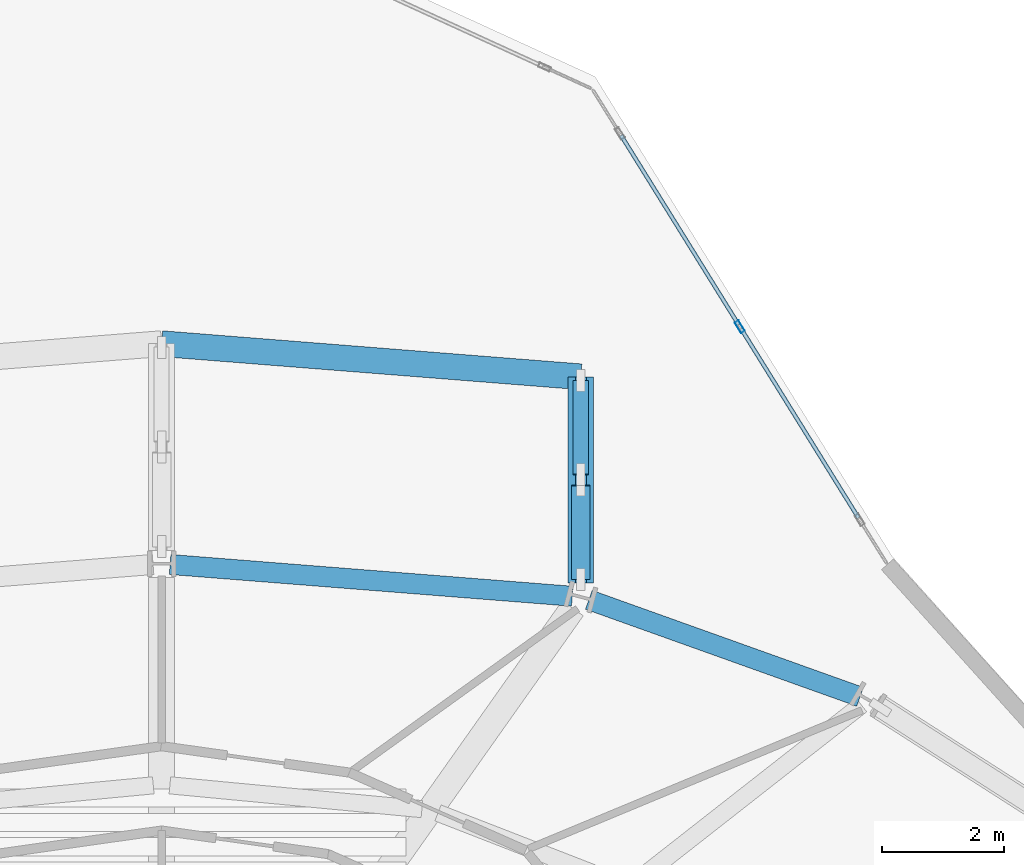
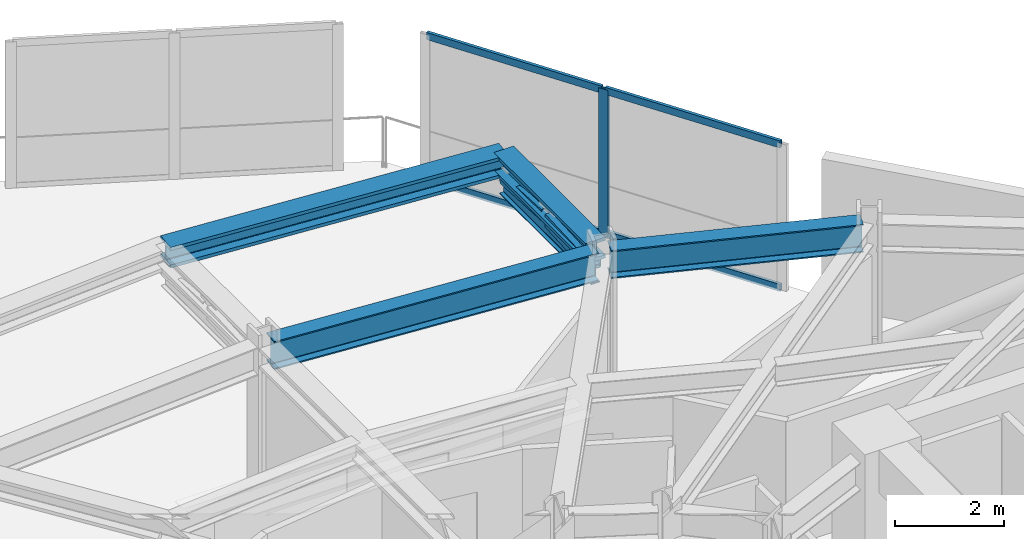
# One storey, part 14 of 24: 7 members, 5 beams, 1 element without a shape of its own.
"""IFC4 building model written with IfcOpenShell, lengths in metres."""

from ifc_helpers import new_model, si_unit, direction, frame, origin, origin_2d, place, context, subcontext, project, spatial, hollow_rectangle, i_section, extrude, material, layer, layer_set, material_profile, profile_set, type_object, element, aggregate, save


model = new_model("IFC4")

# Units and contexts
model_context = context("Model", 3, precision=1e-05, world=origin(), true_north=direction((0.0, 1.0)))
body_context = subcontext(model_context, "Body", "Model", "MODEL_VIEW")
ifc_project = project(units=[si_unit("LENGTHUNIT", "METRE"), si_unit("AREAUNIT", "SQUARE_METRE"), si_unit("VOLUMEUNIT", "CUBIC_METRE"), si_unit("PLANEANGLEUNIT", "RADIAN"), si_unit("MASSUNIT", "GRAM", prefix="KILO")], contexts=[model_context])

# Site, building, storey
site_placement = place(None, origin())
site = spatial("IfcSite", under=ifc_project, at=site_placement, CompositionType="ELEMENT")
building_placement = place(site_placement, origin())
building = spatial("IfcBuilding", under=site, at=building_placement, Name="Solvane Sanctuary Tower", CompositionType="ELEMENT")
storey_placement = place(building_placement, frame((0.0, 0.0, 253.199951171875)))
storey = spatial("IfcBuildingStorey", under=building, at=storey_placement, Name="L77", CompositionType="ELEMENT", Elevation=253.199951171875)

# Beams
ifc_material_1 = material(Name="Steel ASTM A913 Grade 65", Category="steel")
ifc_material_profile_1 = material_profile(ifc_material_1, i_section(OverallWidth=0.422119140625, OverallDepth=0.465087890625, WebThickness=0.044921875, FlangeThickness=0.072509765625, FilletRadius=0.02490234375, at=origin_2d()), Name="W14X398")
ifc_profile_set_1 = profile_set([ifc_material_profile_1], Name="Steel ASTM A913 Grade 65")
beam_type_1 = type_object("IfcBeamType", Name="Beam B-CANT-CH W14X398", PredefinedType="BEAM", material=ifc_profile_set_1)
beam_1_placement = place(storey_placement, frame((38.856201171875, 38.36669921875, 3.08544921875), z_axis=(0.0, 1.0, 0.0), x_axis=(-1.0, 0.0, 0.0)))
element("IfcBeam", 1, at=beam_1_placement, inside=storey, type_object=beam_type_1, Name="L77 Sky-Dining Truss Top Chord C03", PredefinedType="BEAM", context=body_context, shape_type="SweptSolid", body=[
    extrude(i_section(OverallWidth=0.422119140625, OverallDepth=0.465087890625, WebThickness=0.044921875, FlangeThickness=0.072509765625, FilletRadius=0.02490234375, at=origin_2d()), origin(), (0.0, 0.0, 1.0), 3.37158203125),
])
beam_2_placement = place(storey_placement, frame((32.0, 42.280029296875, 3.08544921875), z_axis=(0.996892795984, -0.078770256536, 0.0), x_axis=(0.078770256536, 0.996892795984, 0.0)))
element("IfcBeam", 2, at=beam_2_placement, inside=storey, type_object=beam_type_1, Name="L77 Sky-Dining Transverse Tie Beam 2", PredefinedType="BEAM", context=body_context, shape_type="SweptSolid", body=[
    extrude(i_section(OverallWidth=0.422119140625, OverallDepth=0.465087890625, WebThickness=0.044921875, FlangeThickness=0.072509765625, FilletRadius=0.02490234375, at=origin_2d()), origin(), (0.0, 0.0, 1.0), 6.877685546875),
])
ifc_material_2 = material(Name="Steel ASTM A992 Grade 50", Category="steel")
ifc_material_profile_2 = material_profile(ifc_material_2, i_section(OverallWidth=0.180908203125, OverallDepth=0.4169921875, WebThickness=0.010986328125, FlangeThickness=0.018310546875, FilletRadius=0.012939453125, at=origin_2d()), Name="W16X57")
ifc_profile_set_2 = profile_set([ifc_material_profile_2], Name="Steel ASTM A992 Grade 50")
beam_type_2 = type_object("IfcBeamType", Name="Beam B-ROOF-BM W16X57", PredefinedType="BEAM", material=ifc_profile_set_2)
beam_3_placement = place(storey_placement, frame((38.856201171875, 38.36669921875, 2.56005859375), z_axis=(0.0, 1.0, 0.0), x_axis=(-1.0, 0.0, 0.0)))
element("IfcBeam", 3, at=beam_3_placement, inside=storey, type_object=beam_type_2, Name="L77 Sky-Dining Truss Bottom Chord C03", PredefinedType="BEAM", context=body_context, shape_type="SweptSolid", body=[
    extrude(i_section(OverallWidth=0.180908203125, OverallDepth=0.4169921875, WebThickness=0.010986328125, FlangeThickness=0.018310546875, FilletRadius=0.012939453125, at=origin_2d()), origin(), (0.0, 0.0, 1.0), 3.37158203125),
])
ifc_material_profile_3 = material_profile(ifc_material_2, i_section(OverallWidth=0.327880859375, OverallDepth=0.6279296875, WebThickness=0.0166015625, FlangeThickness=0.027587890625, FilletRadius=0.01611328125, at=origin_2d()), Name="W24X146")
ifc_profile_set_3 = profile_set([ifc_material_profile_3], Name="Steel ASTM A992 Grade 50")
beam_type_3 = type_object("IfcBeamType", Name="Beam B-SPAND-Z3 W24X146", PredefinedType="SPANDREL", material=ifc_profile_set_3)
beam_4_placement = place(storey_placement, frame((32.1396484375, 38.6689453125, 3.004150390625), z_axis=(0.996894556567, -0.078747971951, 0.0), x_axis=(0.078747971951, 0.996894556567, 0.0)))
element("IfcBeam", 4, at=beam_4_placement, inside=storey, type_object=beam_type_3, Name="L77 Perimeter Spandrel Beam TC04-TC03", PredefinedType="SPANDREL", context=body_context, shape_type="SweptSolid", body=[
    extrude(i_section(OverallWidth=0.327880859375, OverallDepth=0.6279296875, WebThickness=0.0166015625, FlangeThickness=0.027587890625, FilletRadius=0.01611328125, at=origin_2d()), origin(), (0.0, 0.0, 1.0), 6.597412109375),
])
beam_5_placement = place(storey_placement, frame((38.98779296875, 38.091064453125, 3.004150390625), z_axis=(0.941570600413, -0.336815683184, 0.0), x_axis=(0.336815683184, 0.941570600413, 0.0)))
element("IfcBeam", 5, at=beam_5_placement, inside=storey, type_object=beam_type_3, Name="L77 Perimeter Spandrel Beam TC03-TC02", PredefinedType="SPANDREL", context=body_context, shape_type="SweptSolid", body=[
    extrude(i_section(OverallWidth=0.327880859375, OverallDepth=0.6279296875, WebThickness=0.0166015625, FlangeThickness=0.027587890625, FilletRadius=0.01611328125, at=origin_2d()), origin(), (0.0, 0.0, 1.0), 4.710693359375),
])

# Members
ifc_material_profile_4 = material_profile(ifc_material_1, hollow_rectangle(XDim=0.300048828125, YDim=0.300048828125, WallThickness=0.012451171875, at=origin_2d()), Name="HSS300X300X12.5")
ifc_profile_set_4 = profile_set([ifc_material_profile_4], Name="Steel ASTM A913 Grade 65")
member_type_1 = type_object("IfcMemberType", Name="Member M-CANT-DIAG HSS300X300X12.5", PredefinedType="STRUT", material=ifc_profile_set_4)
member_1_placement = place(storey_placement, frame((38.856201171875, 38.431640625, 2.768798828125), z_axis=(0.0, 0.998634932523, 0.052232858853), x_axis=(-1.0, 0.0, 0.0)))
element("IfcMember", 6, at=member_1_placement, inside=storey, type_object=member_type_1, Name="L77 Sky-Dining Truss Diagonal C03-P1", PredefinedType="STRUT", context=body_context, shape_type="SweptSolid", body=[
    extrude(hollow_rectangle(XDim=0.300048828125, YDim=0.300048828125, WallThickness=0.012451171875, at=origin_2d()), origin(), (0.0, 0.0, 1.0), 1.533203125),
])
ifc_material_profile_5 = material_profile(ifc_material_1, hollow_rectangle(XDim=0.25, YDim=0.25, WallThickness=0.012451171875, at=origin_2d()), Name="HSS250X250X12.5")
ifc_profile_set_5 = profile_set([ifc_material_profile_5], Name="Steel ASTM A913 Grade 65")
member_type_2 = type_object("IfcMemberType", Name="Member M-CANT-POST HSS250X250X12.5", PredefinedType="POST", material=ifc_profile_set_5)
member_2_placement = place(storey_placement, frame((38.856201171875, 40.142333984375, 2.848876953125), z_axis=(0.0, 0.998634932523, -0.052232858853), x_axis=(-1.0, 0.0, 0.0)))
element("IfcMember", 7, at=member_2_placement, inside=storey, type_object=member_type_2, Name="L77 Sky-Dining Truss Web Post C03-P1", PredefinedType="POST", context=body_context, shape_type="SweptSolid", body=[
    extrude(hollow_rectangle(XDim=0.25, YDim=0.25, WallThickness=0.012451171875, at=origin_2d()), origin(), (0.0, 0.0, 1.0), 1.533203125),
])

# Curtain wall, members
ifc_material_3 = material(Name="Anodised Aluminium 6063-T6", Category="aluminium")
ifc_layer = layer(ifc_material_3, 0.18994140625, Name="Anodised Aluminium 6063-T6")
ifc_layer_set = layer_set([ifc_layer], Name="Anodised Aluminium 6063-T6")
curtain_wall_type = type_object("IfcCurtainWallType", Name="Curtain Wall CW-OPER", PredefinedType="NOTDEFINED", material=ifc_layer_set)
curtain_wall_placement = place(storey_placement, origin())
curtain_wall = element("IfcCurtainWall", 8, at=curtain_wall_placement, inside=storey, type_object=curtain_wall_type, Name="L77 CW-OPER Facade Run 04", PredefinedType="NOTDEFINED")
ifc_material_profile_6 = material_profile(ifc_material_3, hollow_rectangle(XDim=0.074951171875, YDim=0.199951171875, WallThickness=0.00390625, at=origin_2d()), Name="ALU200X75X4")
ifc_profile_set_6 = profile_set([ifc_material_profile_6], Name="Anodised Aluminium 6063-T6")
member_type_3 = type_object("IfcMemberType", Name="Member M-CW-MUL-1 ALU200X75X4", PredefinedType="MULLION", material=ifc_profile_set_6)
member_3_placement = place(storey_placement, frame((41.45654296875, 42.558349609375, 0.0), z_axis=(0.0, 0.0, 1.0), x_axis=(-0.849622273102, -0.527391688453, 0.0)))
member_3 = element("IfcMember", 9, at=member_3_placement, type_object=member_type_3, Name="CW-OPER mullion 2", PredefinedType="MULLION", context=body_context, shape_type="SweptSolid", body=[
    extrude(hollow_rectangle(XDim=0.074951171875, YDim=0.199951171875, WallThickness=0.00390625, at=origin_2d()), origin(), (0.0, 0.0, 1.0), 3.280029296875),
])
ifc_material_profile_7 = material_profile(ifc_material_3, hollow_rectangle(XDim=0.06494140625, YDim=0.159912109375, WallThickness=0.00341796875, at=origin_2d()), Name="ALU160X65X3.5")
ifc_profile_set_7 = profile_set([ifc_material_profile_7], Name="Anodised Aluminium 6063-T6")
member_type_4 = type_object("IfcMemberType", Name="Member M-CW-TRN-1 ALU160X65X3.5", PredefinedType="USERDEFINED", material=ifc_profile_set_7)
member_4_placement = place(storey_placement, frame((43.39794921875, 39.430419921875, 0.032470703125), z_axis=(-0.527364529612, 0.849639130989, 0.0), x_axis=(-0.849639130989, -0.527364529612, 0.0)))
member_4 = element("IfcMember", 10, at=member_4_placement, type_object=member_type_4, Name="CW-OPER transom 1.1", ObjectType="TRANSOM", PredefinedType="USERDEFINED", context=body_context, shape_type="SweptSolid", body=[
    extrude(hollow_rectangle(XDim=0.06494140625, YDim=0.159912109375, WallThickness=0.00341796875, at=origin_2d()), origin(), (0.0, 0.0, 1.0), 3.643798828125),
])
member_5_placement = place(storey_placement, frame((43.39794921875, 39.430419921875, 3.24755859375), z_axis=(-0.527364529612, 0.849639130989, 0.0), x_axis=(-0.849639130989, -0.527364529612, 0.0)))
member_5 = element("IfcMember", 11, at=member_5_placement, type_object=member_type_4, Name="CW-OPER transom 1.2", ObjectType="TRANSOM", PredefinedType="USERDEFINED", context=body_context, shape_type="SweptSolid", body=[
    extrude(hollow_rectangle(XDim=0.06494140625, YDim=0.159912109375, WallThickness=0.00341796875, at=origin_2d()), origin(), (0.0, 0.0, 1.0), 3.643798828125),
])
member_6_placement = place(storey_placement, frame((41.436767578125, 42.590087890625, 0.032470703125), z_axis=(-0.527364529612, 0.849639130989, 0.0), x_axis=(-0.849639130989, -0.527364529612, 0.0)))
member_6 = element("IfcMember", 12, at=member_6_placement, type_object=member_type_4, Name="CW-OPER transom 2.1", ObjectType="TRANSOM", PredefinedType="USERDEFINED", context=body_context, shape_type="SweptSolid", body=[
    extrude(hollow_rectangle(XDim=0.06494140625, YDim=0.159912109375, WallThickness=0.00341796875, at=origin_2d()), origin(), (0.0, 0.0, 1.0), 3.643798828125),
])
member_7_placement = place(storey_placement, frame((41.436767578125, 42.590087890625, 3.24755859375), z_axis=(-0.527364529612, 0.849639130989, 0.0), x_axis=(-0.849639130989, -0.527364529612, 0.0)))
member_7 = element("IfcMember", 13, at=member_7_placement, type_object=member_type_4, Name="CW-OPER transom 2.2", ObjectType="TRANSOM", PredefinedType="USERDEFINED", context=body_context, shape_type="SweptSolid", body=[
    extrude(hollow_rectangle(XDim=0.06494140625, YDim=0.159912109375, WallThickness=0.00341796875, at=origin_2d()), origin(), (0.0, 0.0, 1.0), 3.643798828125),
])
aggregate(curtain_wall, [member_3, member_4, member_5, member_6, member_7])

save(model, "model.ifc")
